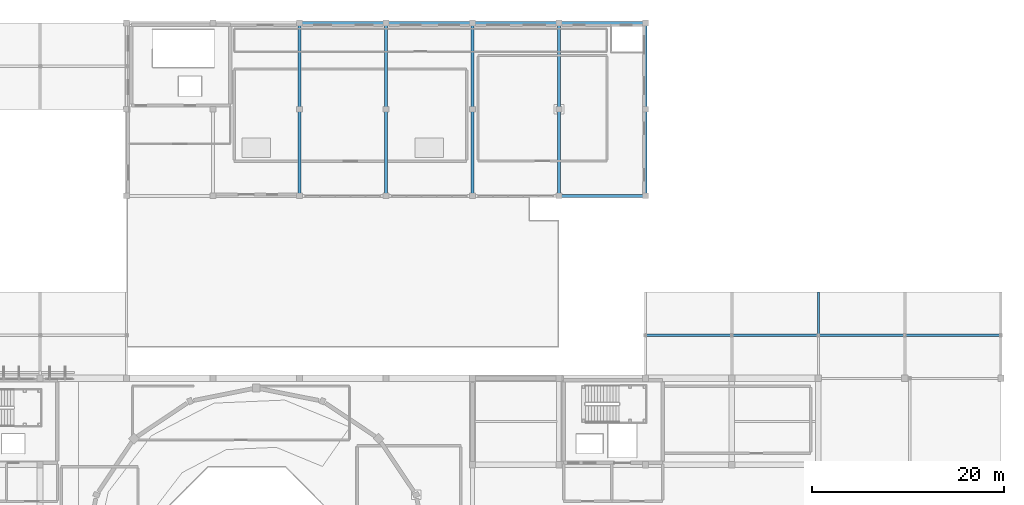
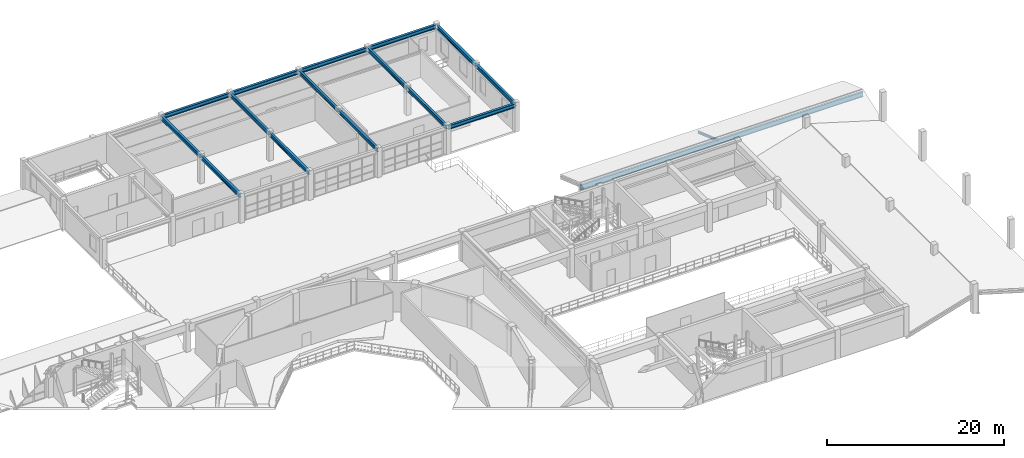
# One storey, part 56 of 80: 16 beams, 1 member.
"""IFC4 building model written with IfcOpenShell, lengths in metres."""

from ifc_helpers import new_model, si_unit, direction, frame, origin, origin_2d, place, context, subcontext, project, spatial, i_section, extrude, material, material_profile, profile_set, type_object, element, save


model = new_model("IFC4")

# Units and contexts
model_context = context("Model", 3, precision=1e-05, world=origin(), true_north=direction((0.0, 1.0)))
body_context = subcontext(model_context, "Body", "Model", "MODEL_VIEW")
ifc_project = project(units=[si_unit("LENGTHUNIT", "METRE"), si_unit("AREAUNIT", "SQUARE_METRE"), si_unit("VOLUMEUNIT", "CUBIC_METRE"), si_unit("PLANEANGLEUNIT", "RADIAN"), si_unit("MASSUNIT", "GRAM", prefix="KILO")], contexts=[model_context])

# Site, building, storey
site_placement = place(None, origin())
site = spatial("IfcSite", under=ifc_project, at=site_placement, CompositionType="ELEMENT")
building_placement = place(site_placement, origin())
building = spatial("IfcBuilding", under=site, at=building_placement, Name="Miravela Opera House", CompositionType="ELEMENT")
storey_placement = place(building_placement, frame((0.0, 0.0, 17.679931640625)))
storey = spatial("IfcBuildingStorey", under=building, at=storey_placement, Name="L04", CompositionType="ELEMENT", Elevation=17.679931640625)

# Beams
ifc_material = material(Name="Structural steel ASTM A992 Gr. 50", Category="steel")
ifc_material_profile_1 = material_profile(ifc_material, i_section(OverallWidth=0.31201171875, OverallDepth=0.54296875, WebThickness=0.0126953125, FlangeThickness=0.020263671875, FilletRadius=0.01611328125, at=origin_2d()), Name="W530X150")
ifc_profile_set_1 = profile_set([ifc_material_profile_1])
beam_type_1 = type_object("IfcBeamType", Name="STR-BM-W530X150", PredefinedType="BEAM", material=ifc_profile_set_1)
for number, where, z_axis, x_axis, name in (
    (1, (108.080078125, 94.0, 3.568603515625), (1.0, 0.0, 0.0), (0.0, 1.0, 0.0), "Roof Eave Girder ROOF-V3-TOP S6"),
    (2, (81.080078125, 112.0, 3.568603515625), (1.0, 0.0, 0.0), (0.0, 1.0, 0.0), "Roof Eave Girder ROOF-V3-TOP N3"),
    (3, (90.080078125, 112.0, 3.568603515625), (1.0, 0.0, 0.0), (0.0, 1.0, 0.0), "Roof Eave Girder ROOF-V3-TOP N4"),
    (4, (99.080078125, 112.0, 3.568603515625), (1.0, 0.0, 0.0), (0.0, 1.0, 0.0), "Roof Eave Girder ROOF-V3-TOP N5"),
    (5, (108.080078125, 112.0, 3.568603515625), (1.0, 0.0, 0.0), (0.0, 1.0, 0.0), "Roof Eave Girder ROOF-V3-TOP N6"),
    (6, (81.0, 94.080078125, 3.568603515625), (0.0, 1.0, 0.0), (-1.0, 0.0, 0.0), "Roof King-Post Transverse Tie Girder ROOF-V3-TOP T2.1"),
    (7, (81.0, 103.080078125, 3.568603515625), (0.0, 1.0, 0.0), (-1.0, 0.0, 0.0), "Roof King-Post Transverse Tie Girder ROOF-V3-TOP T2.2"),
    (8, (90.0, 94.080078125, 3.568603515625), (0.0, 1.0, 0.0), (-1.0, 0.0, 0.0), "Roof King-Post Transverse Tie Girder ROOF-V3-TOP T3.1"),
    (9, (90.0, 103.080078125, 3.568603515625), (0.0, 1.0, 0.0), (-1.0, 0.0, 0.0), "Roof King-Post Transverse Tie Girder ROOF-V3-TOP T3.2"),
    (10, (99.0, 94.080078125, 3.568603515625), (0.0, 1.0, 0.0), (-1.0, 0.0, 0.0), "Roof King-Post Transverse Tie Girder ROOF-V3-TOP T4.1"),
    (11, (99.0, 103.080078125, 3.568603515625), (0.0, 1.0, 0.0), (-1.0, 0.0, 0.0), "Roof King-Post Transverse Tie Girder ROOF-V3-TOP T4.2"),
    (12, (108.0, 94.080078125, 3.568603515625), (0.0, 1.0, 0.0), (-1.0, 0.0, 0.0), "Roof King-Post Transverse Tie Girder ROOF-V3-TOP T5.1"),
    (13, (108.0, 103.080078125, 3.568603515625), (0.0, 1.0, 0.0), (-1.0, 0.0, 0.0), "Roof King-Post Transverse Tie Girder ROOF-V3-TOP T5.2"),
    (14, (117.0, 94.080078125, 3.568603515625), (0.0, 1.0, 0.0), (-1.0, 0.0, 0.0), "Roof King-Post Transverse Tie Girder ROOF-V3-TOP T6.1"),
    (15, (117.0, 103.080078125, 3.568603515625), (0.0, 1.0, 0.0), (-1.0, 0.0, 0.0), "Roof King-Post Transverse Tie Girder ROOF-V3-TOP T6.2"),
):
    element("IfcBeam", number, at=place(storey_placement, frame(where, z_axis=z_axis, x_axis=x_axis)), inside=storey, type_object=beam_type_1, Name=name, PredefinedType="BEAM", context=body_context, shape_type="SweptSolid", body=[
        extrude(i_section(OverallWidth=0.31201171875, OverallDepth=0.54296875, WebThickness=0.0126953125, FlangeThickness=0.020263671875, FilletRadius=0.01611328125, at=origin_2d()), origin(), (0.0, 0.0, 1.0), 8.83984375),
    ])
ifc_material_profile_2 = material_profile(ifc_material, i_section(OverallWidth=0.256103515625, OverallDepth=0.693115234375, WebThickness=0.014404296875, FlangeThickness=0.023681640625, FilletRadius=0.01806640625, at=origin_2d()), Name="W690X170")
ifc_profile_set_2 = profile_set([ifc_material_profile_2])
beam_type_2 = type_object("IfcBeamType", Name="STR-BM-W690X170", PredefinedType="BEAM", material=ifc_profile_set_2)
beam_placement = place(storey_placement, frame((117.0, 79.5, 0.93359375), z_axis=(1.0, 0.0, 0.0), x_axis=(0.0, 1.0, 0.0)))
element("IfcBeam", 16, at=beam_placement, inside=storey, type_object=beam_type_2, Name="Clay Tile Roof Ridge Beam ROOF-V3-EAST-S", PredefinedType="BEAM", context=body_context, shape_type="SweptSolid", body=[
    extrude(i_section(OverallWidth=0.256103515625, OverallDepth=0.693115234375, WebThickness=0.014404296875, FlangeThickness=0.023681640625, FilletRadius=0.01806640625, at=origin_2d()), origin(), (0.0, 0.0, 1.0), 37.0),
])

# Member
ifc_material_profile_3 = material_profile(ifc_material, i_section(OverallWidth=0.202880859375, OverallDepth=0.302978515625, WebThickness=0.007568359375, FlangeThickness=0.01318359375, FilletRadius=0.012939453125, at=origin_2d()), Name="W310X60")
ifc_profile_set_3 = profile_set([ifc_material_profile_3])
member_type = type_object("IfcMemberType", Name="STR-MEM-RAFTER-2", PredefinedType="RAFTER", material=ifc_profile_set_3)
member_placement = place(storey_placement, frame((135.0, 83.949951171875, -0.39990234375), z_axis=(0.0, -0.943687918104, 0.3308369889), x_axis=(1.0, 0.0, 0.0)))
element("IfcMember", 17, at=member_placement, inside=storey, type_object=member_type, Name="Pitched Roof Rafter ROOF-V3-EAST-S N2", PredefinedType="RAFTER", context=body_context, shape_type="SweptSolid", body=[
    extrude(i_section(OverallWidth=0.202880859375, OverallDepth=0.302978515625, WebThickness=0.007568359375, FlangeThickness=0.01318359375, FilletRadius=0.012939453125, at=origin_2d()), origin(), (0.0, 0.0, 1.0), 4.715576171875),
])

save(model, "model.ifc")
